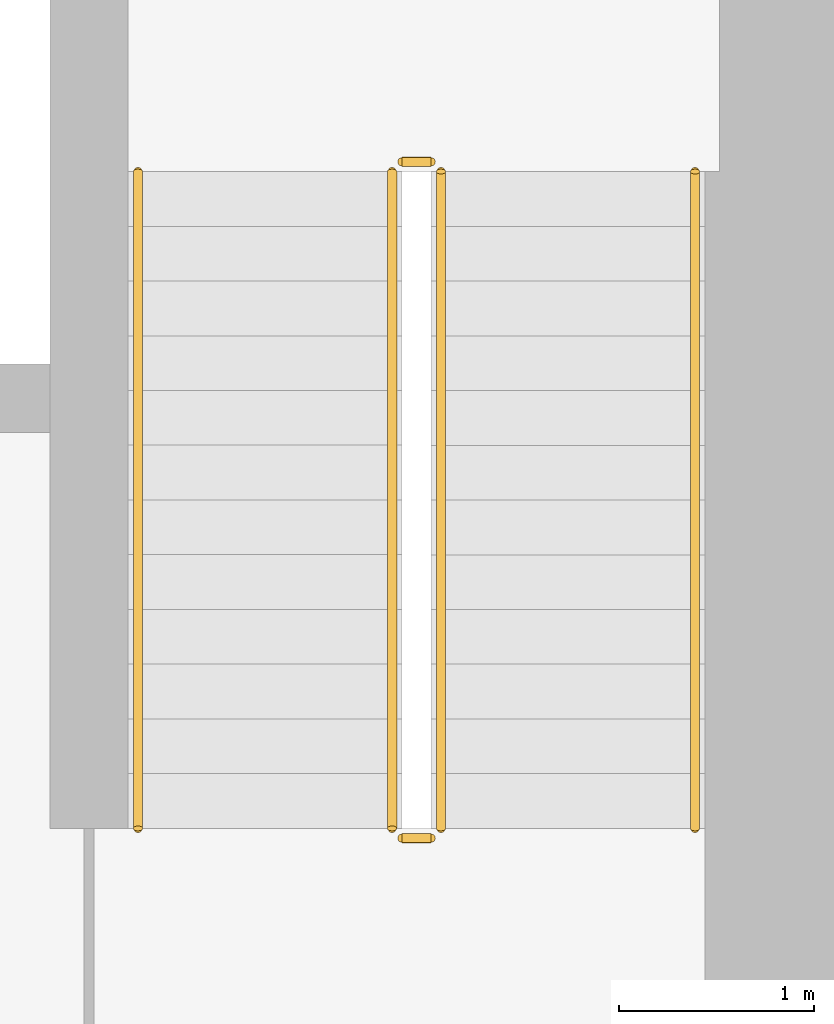
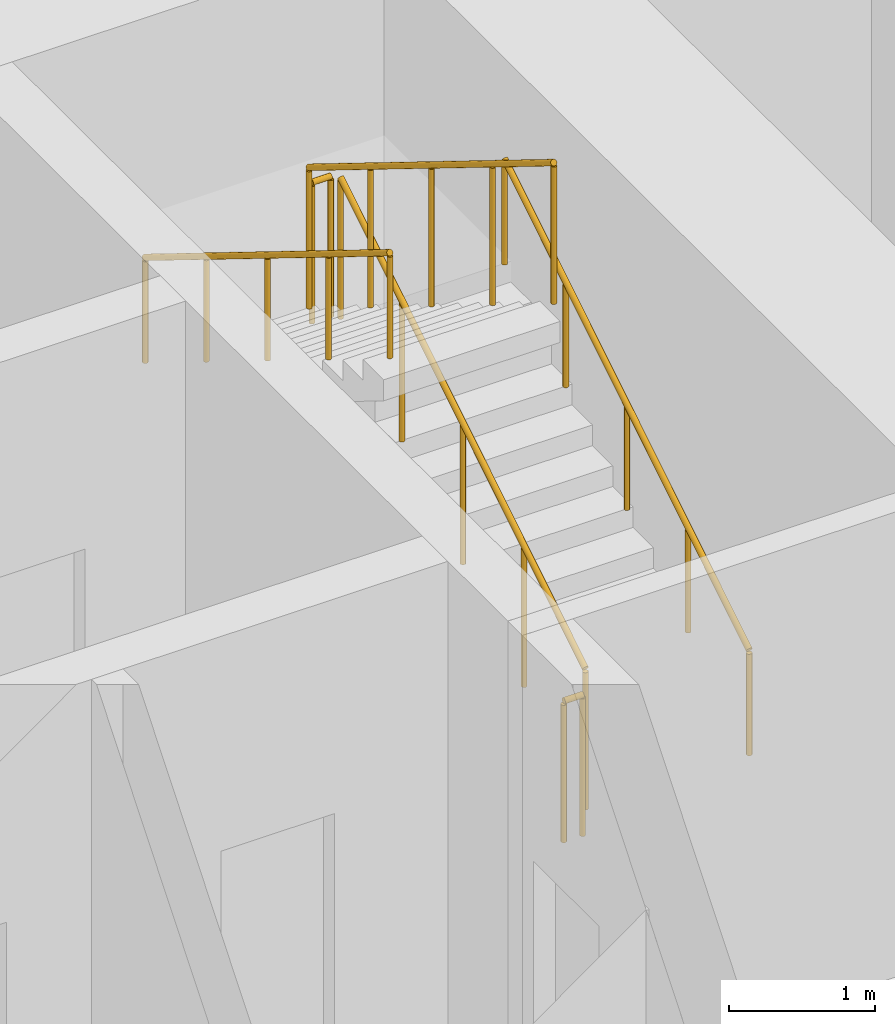
# One storey, part 22 of 23: 6 railings.
"""IFC4 building model written with IfcOpenShell, lengths in metres."""

import ifcopenshell
import ifcopenshell.guid

model = None  # the IFC model being written
_history = None  # IfcOwnerHistory: only IFC2X3 demands one
_inside = {}  # id of a spatial element -> (the spatial element, [elements in it])
_under = {}  # id of a project, library or spatial element -> (it, [spatial elements below it])
_declared = {}  # id of a project -> (the project, [libraries it declares])
_typed = {}  # id of a type object -> (the type object, [elements of that type])
_made_of = {}  # id of a material, layer set ... -> (it, [elements and type objects made of it])


def new_model(schema):
    """Start an empty IFC model of exactly this schema.

    Asked for "IFC4X3", IfcOpenShell would pick the latest addendum, in which some entities
    have other attributes; the version numbers below select the first issue.
    IFC2X3 requires an IfcOwnerHistory on every rooted entity: one is made here for all.
    """
    global model, _history
    if schema == "IFC4X3":
        model = ifcopenshell.file(schema_version=(4, 3, 0, 0))
    else:
        model = ifcopenshell.file(schema=schema)
    _inside.clear()
    _under.clear()
    _declared.clear()
    _typed.clear()
    _made_of.clear()
    _history = None
    if model.schema == "IFC2X3":
        org = make("IfcOrganization", Name="unknown")
        user = make(
            "IfcPersonAndOrganization",
            ThePerson=make("IfcPerson", FamilyName="unknown"),
            TheOrganization=org,
        )
        app = make(
            "IfcApplication",
            ApplicationDeveloper=org,
            Version="unknown",
            ApplicationFullName="unknown",
            ApplicationIdentifier="unknown",
        )
        _history = make(
            "IfcOwnerHistory",
            OwningUser=user,
            OwningApplication=app,
            ChangeAction="ADDED",
            CreationDate=0,
        )
    return model


def make(cls, **values):
    """One entity of the class cls with the attributes given. An attribute that is None is left unset."""
    return model.create_entity(
        cls, **{name: value for name, value in values.items() if value is not None}
    )


def rooted(cls, **values):
    """An entity with a GlobalId (a new one), such as an element, a storey or a relation."""
    return make(cls, GlobalId=ifcopenshell.guid.new(), OwnerHistory=_history, **values)


def si_unit(unit_type, name, prefix=None):
    """IfcSIUnit, for example si_unit("LENGTHUNIT", "METRE", prefix="MILLI")."""
    return make("IfcSIUnit", UnitType=unit_type, Prefix=prefix, Name=name)


def assignment(units):
    """IfcUnitAssignment: the units of a project."""
    return None if units is None else make("IfcUnitAssignment", Units=units)


def point(xyz):
    """IfcCartesianPoint."""
    return None if xyz is None else make("IfcCartesianPoint", Coordinates=xyz)


def direction(xyz):
    """IfcDirection."""
    return None if xyz is None else make("IfcDirection", DirectionRatios=xyz)


def frame(location, z_axis=None, x_axis=None):
    """IfcAxis2Placement3D, a coordinate frame: its origin and axes. An axis left out is left unset."""
    return make(
        "IfcAxis2Placement3D",
        Location=point(location),
        Axis=direction(z_axis),
        RefDirection=direction(x_axis),
    )


def frame_2d(location, x_axis=None):
    """IfcAxis2Placement2D, a coordinate frame in the plane: its origin and x axis."""
    return make(
        "IfcAxis2Placement2D", Location=point(location), RefDirection=direction(x_axis)
    )


def origin():
    """The frame at (0, 0, 0) with its axes left unset."""
    return frame((0.0, 0.0, 0.0))


def origin_2d():
    """The frame at (0, 0) in the plane with its x axis left unset."""
    return frame_2d((0.0, 0.0))


def place(relative_to, where):
    """IfcLocalPlacement: puts the frame where relative to a parent placement (None: the world)."""
    return make(
        "IfcLocalPlacement", PlacementRelTo=relative_to, RelativePlacement=where
    )


def context(
    kind, dimensions, precision=None, world=None, true_north=None, identifier=None
):
    """IfcGeometricRepresentationContext, for example the 3D "Model" context."""
    return make(
        "IfcGeometricRepresentationContext",
        ContextIdentifier=identifier,
        ContextType=kind,
        CoordinateSpaceDimension=dimensions,
        Precision=precision,
        WorldCoordinateSystem=world,
        TrueNorth=true_north,
    )


def subcontext(parent, identifier, kind, view, scale=None):
    """IfcGeometricRepresentationSubContext, for example "Body" below "Model"."""
    return make(
        "IfcGeometricRepresentationSubContext",
        ContextIdentifier=identifier,
        ContextType=kind,
        ParentContext=parent,
        TargetScale=scale,
        TargetView=view,
    )


def project(units=None, contexts=None):
    """IfcProject with its units and contexts."""
    return rooted(
        "IfcProject",
        Name="project",
        RepresentationContexts=contexts,
        UnitsInContext=assignment(units),
    )


def spatial(cls, under=None, at=None, **own):
    """A site, building, storey or space (cls), placed at a placement, below another one or the project."""
    s = rooted(cls, ObjectPlacement=at, **own)
    if under is not None:
        _under.setdefault(under.id(), (under, []))[1].append(s)
    return s


def profile(cls, at=None, kind="AREA", **sizes):
    """A parametric profile (cls). Its sizes go by their IFC names, for example OverallWidth=200.0."""
    return make(cls, ProfileType=kind, Position=at, **sizes)


def circle(**sizes):
    """IfcCircleProfileDef."""
    return profile("IfcCircleProfileDef", **sizes)


def extrude(swept, where, along, depth):
    """IfcExtrudedAreaSolid: the profile swept, set in the frame where, extruded along a direction by depth."""
    return make(
        "IfcExtrudedAreaSolid",
        SweptArea=swept,
        Position=where,
        ExtrudedDirection=direction(along),
        Depth=depth,
    )


def shape(context_of_items, identifier, shape_type, items):
    """IfcShapeRepresentation: the items that make up one representation, for example the "Body"."""
    return make(
        "IfcShapeRepresentation",
        ContextOfItems=context_of_items,
        RepresentationIdentifier=identifier,
        RepresentationType=shape_type,
        Items=items,
    )


def material(Name=None, Category=None):
    """IfcMaterial."""
    return make("IfcMaterial", Name=Name, Category=Category)


def made_of(thing, what):
    """Note that an element or type object is made of a material, layer set ...; save() writes the relation."""
    if what is not None:
        _made_of.setdefault(what.id(), (what, []))[1].append(thing)
    return thing


def type_object(cls, material=None, **own):
    """A type object (cls), such as IfcWallType, which elements share."""
    return made_of(rooted(cls, **own), material)


def element(
    cls,
    number,
    at=None,
    inside=None,
    cuts=None,
    type_object=None,
    material=None,
    context=None,
    identifier="Body",
    shape_type=None,
    held_by="IfcProductDefinitionShape",
    body=None,
    shapes=None,
    **own,
):
    """One element of the class cls, such as IfcWall. Its Tag is "e" and its number.

    at: its placement. inside: the storey or other place that contains it. cuts: it is an
    opening in that element (IfcRelVoidsElement). A single representation is given by context,
    identifier, shape_type and body (its items); several are given by shapes. held_by: the class
    of the entity that holds the representations. save() writes the other relations.
    """
    e = rooted(cls, Tag="e%d" % number, ObjectPlacement=at, **own)
    if body is not None:
        shapes = [shape(context, identifier, shape_type, body)]
    if shapes is not None:
        e.Representation = make(held_by, Representations=shapes)
    if inside is not None:
        _inside.setdefault(inside.id(), (inside, []))[1].append(e)
    if cuts is not None:
        rooted(
            "IfcRelVoidsElement", RelatingBuildingElement=cuts, RelatedOpeningElement=e
        )
    if type_object is not None:
        _typed.setdefault(type_object.id(), (type_object, []))[1].append(e)
    return made_of(e, material)


def aggregate(whole, parts):
    """IfcRelAggregates: a whole, such as a stair, and the parts it consists of."""
    return rooted("IfcRelAggregates", RelatingObject=whole, RelatedObjects=parts)


def save(model, path):
    """Write the relations noted so far, then the file.

    IfcRelAggregates (storeys below a building ...), IfcRelContainedInSpatialStructure (elements
    in a storey), IfcRelDefinesByType, IfcRelAssociatesMaterial and IfcRelDeclares: one each for
    every whole, place, type object, material and project.
    """
    for whole, parts in _under.values():
        aggregate(whole, parts)
    for where, things in _inside.values():
        rooted(
            "IfcRelContainedInSpatialStructure",
            RelatedElements=things,
            RelatingStructure=where,
        )
    for kind, things in _typed.values():
        rooted("IfcRelDefinesByType", RelatedObjects=things, RelatingType=kind)
    for what, things in _made_of.values():
        rooted("IfcRelAssociatesMaterial", RelatedObjects=things, RelatingMaterial=what)
    for by, libraries in _declared.values():
        rooted("IfcRelDeclares", RelatingContext=by, RelatedDefinitions=libraries)
    model.write(path)


model = new_model("IFC4")

# Units and contexts
model_context = context("Model", 3, precision=1e-05, world=origin(), true_north=direction((0.0, 1.0)))
body_context = subcontext(model_context, "Body", "Model", "MODEL_VIEW")
ifc_project = project(units=[si_unit("LENGTHUNIT", "METRE"), si_unit("AREAUNIT", "SQUARE_METRE"), si_unit("VOLUMEUNIT", "CUBIC_METRE"), si_unit("PLANEANGLEUNIT", "RADIAN"), si_unit("MASSUNIT", "GRAM", prefix="KILO")], contexts=[model_context])

# Site, building, storey
site_placement = place(None, origin())
site = spatial("IfcSite", under=ifc_project, at=site_placement, CompositionType="ELEMENT")
building_placement = place(site_placement, origin())
building = spatial("IfcBuilding", under=site, at=building_placement, Name="Dongbaek Canopy Tower", CompositionType="ELEMENT")
storey_placement = place(building_placement, frame((0.0, 0.0, 84.699951171875)))
storey = spatial("IfcBuildingStorey", under=building, at=storey_placement, Name="L17", CompositionType="ELEMENT", Elevation=84.699951171875)

# Railings
ifc_material_1 = material(Name="Stainless steel tube and balusters", Category="steel")
railing_type_1 = type_object("IfcRailingType", Name="Stair guard 1200", PredefinedType="GUARDRAIL", material=ifc_material_1)
railing_1_placement = place(storey_placement, frame((11.449951171875, 4.699951171875, 0.173095703125)))
element("IfcRailing", 1, at=railing_1_placement, inside=storey, type_object=railing_type_1, Name="L17 ST-A stair guard 1", PredefinedType="GUARDRAIL", context=body_context, shape_type="SweptSolid", body=[
    extrude(circle(Radius=0.02392578125, at=origin_2d()), frame((0.0, 0.0, 1.17578125), z_axis=(0.0, 0.850623216509, 0.525775754039), x_axis=(-1.0, 0.0, 0.0)), (0.0, 0.0, 1.0), 3.9501953125),
    extrude(circle(Radius=0.02099609375, at=origin_2d()), origin(), (0.0, 0.0, 1.0), 1.15185546875),
    extrude(circle(Radius=0.02099609375, at=origin_2d()), frame((0.0, 0.840087890625, 0.519287109375)), (0.0, 0.0, 1.0), 1.15185546875),
    extrude(circle(Radius=0.02099609375, at=origin_2d()), frame((0.0, 1.68017578125, 1.03857421875)), (0.0, 0.0, 1.0), 1.15185546875),
    extrude(circle(Radius=0.02099609375, at=origin_2d()), frame((0.0, 2.52001953125, 1.5576171875)), (0.0, 0.0, 1.0), 1.15185546875),
    extrude(circle(Radius=0.02099609375, at=origin_2d()), frame((0.0, 3.360107421875, 2.076904296875)), (0.0, 0.0, 1.0), 1.15185546875),
])
railing_2_placement = place(storey_placement, frame((11.39990234375, 8.110107421875, 2.25)))
element("IfcRailing", 2, at=railing_2_placement, inside=storey, type_object=railing_type_1, Name="L17 ST-A stair guard 2", PredefinedType="GUARDRAIL", context=body_context, shape_type="SweptSolid", body=[
    extrude(circle(Radius=0.02392578125, at=origin_2d()), frame((0.0, 0.0, 1.17578125), z_axis=(-1.0, 0.0, 0.0), x_axis=(0.0, -1.0, 0.0)), (0.0, 0.0, 1.0), 0.14990234375),
    extrude(circle(Radius=0.02099609375, at=origin_2d()), origin(), (0.0, 0.0, 1.0), 1.15185546875),
    extrude(circle(Radius=0.02099609375, at=origin_2d()), frame((-0.14990234375, 0.0, 0.0)), (0.0, 0.0, 1.0), 1.15185546875),
])
railing_3_placement = place(storey_placement, frame((11.199951171875, 8.06005859375, 2.423095703125)))
element("IfcRailing", 3, at=railing_3_placement, inside=storey, type_object=railing_type_1, Name="L17 ST-A stair guard 3", PredefinedType="GUARDRAIL", context=body_context, shape_type="SweptSolid", body=[
    extrude(circle(Radius=0.02392578125, at=origin_2d()), frame((0.0, 0.0, 1.17578125), z_axis=(0.0, -0.850623216509, 0.525775754039), x_axis=(1.0, 0.0, 0.0)), (0.0, 0.0, 1.0), 3.9501953125),
    extrude(circle(Radius=0.02099609375, at=origin_2d()), origin(), (0.0, 0.0, 1.0), 1.15185546875),
    extrude(circle(Radius=0.02099609375, at=origin_2d()), frame((0.0, -0.840087890625, 0.519287109375)), (0.0, 0.0, 1.0), 1.15185546875),
    extrude(circle(Radius=0.02099609375, at=origin_2d()), frame((0.0, -1.68017578125, 1.03857421875)), (0.0, 0.0, 1.0), 1.15185546875),
    extrude(circle(Radius=0.02099609375, at=origin_2d()), frame((0.0, -2.52001953125, 1.5576171875)), (0.0, 0.0, 1.0), 1.15185546875),
    extrude(circle(Radius=0.02099609375, at=origin_2d()), frame((0.0, -3.360107421875, 2.076904296875)), (0.0, 0.0, 1.0), 1.15185546875),
])
railing_4_placement = place(storey_placement, frame((11.39990234375, 4.64990234375, 0.0)))
element("IfcRailing", 4, at=railing_4_placement, inside=storey, type_object=railing_type_1, Name="L17 ST-A stair guard 4", PredefinedType="GUARDRAIL", context=body_context, shape_type="SweptSolid", body=[
    extrude(circle(Radius=0.02392578125, at=origin_2d()), frame((0.0, 0.0, 1.17578125), z_axis=(-1.0, 0.0, 0.0), x_axis=(0.0, -1.0, 0.0)), (0.0, 0.0, 1.0), 0.14990234375),
    extrude(circle(Radius=0.02099609375, at=origin_2d()), origin(), (0.0, 0.0, 1.0), 1.15185546875),
    extrude(circle(Radius=0.02099609375, at=origin_2d()), frame((-0.14990234375, 0.0, 0.0)), (0.0, 0.0, 1.0), 1.15185546875),
])
ifc_material_2 = material(Name="Stainless steel tube", Category="steel")
railing_type_2 = type_object("IfcRailingType", Name="Stair handrail 900", PredefinedType="HANDRAIL", material=ifc_material_2)
railing_5_placement = place(storey_placement, frame((12.75, 4.699951171875, 0.173095703125)))
element("IfcRailing", 5, at=railing_5_placement, inside=storey, type_object=railing_type_2, Name="L17 ST-A stair handrail 1", PredefinedType="HANDRAIL", context=body_context, shape_type="SweptSolid", body=[
    extrude(circle(Radius=0.02392578125, at=origin_2d()), frame((0.0, 0.0, 0.8759765625), z_axis=(0.0, 0.850623216509, 0.525775754039), x_axis=(-1.0, 0.0, 0.0)), (0.0, 0.0, 1.0), 3.9501953125),
    extrude(circle(Radius=0.02099609375, at=origin_2d()), origin(), (0.0, 0.0, 1.0), 0.851806640625),
    extrude(circle(Radius=0.02099609375, at=origin_2d()), frame((0.0, 0.840087890625, 0.519287109375)), (0.0, 0.0, 1.0), 0.851806640625),
    extrude(circle(Radius=0.02099609375, at=origin_2d()), frame((0.0, 1.68017578125, 1.03857421875)), (0.0, 0.0, 1.0), 0.851806640625),
    extrude(circle(Radius=0.02099609375, at=origin_2d()), frame((0.0, 2.52001953125, 1.5576171875)), (0.0, 0.0, 1.0), 0.851806640625),
    extrude(circle(Radius=0.02099609375, at=origin_2d()), frame((0.0, 3.360107421875, 2.076904296875)), (0.0, 0.0, 1.0), 0.851806640625),
])
railing_6_placement = place(storey_placement, frame((9.89990234375, 8.06005859375, 2.423095703125)))
element("IfcRailing", 6, at=railing_6_placement, inside=storey, type_object=railing_type_2, Name="L17 ST-A stair handrail 2", PredefinedType="HANDRAIL", context=body_context, shape_type="SweptSolid", body=[
    extrude(circle(Radius=0.02392578125, at=origin_2d()), frame((0.0, 0.0, 0.8759765625), z_axis=(0.0, -0.850623216509, 0.525775754039), x_axis=(1.0, 0.0, 0.0)), (0.0, 0.0, 1.0), 3.9501953125),
    extrude(circle(Radius=0.02099609375, at=origin_2d()), origin(), (0.0, 0.0, 1.0), 0.851806640625),
    extrude(circle(Radius=0.02099609375, at=origin_2d()), frame((0.0, -0.840087890625, 0.519287109375)), (0.0, 0.0, 1.0), 0.851806640625),
    extrude(circle(Radius=0.02099609375, at=origin_2d()), frame((0.0, -1.68017578125, 1.03857421875)), (0.0, 0.0, 1.0), 0.851806640625),
    extrude(circle(Radius=0.02099609375, at=origin_2d()), frame((0.0, -2.52001953125, 1.5576171875)), (0.0, 0.0, 1.0), 0.851806640625),
    extrude(circle(Radius=0.02099609375, at=origin_2d()), frame((0.0, -3.360107421875, 2.076904296875)), (0.0, 0.0, 1.0), 0.851806640625),
])

save(model, "model.ifc")
